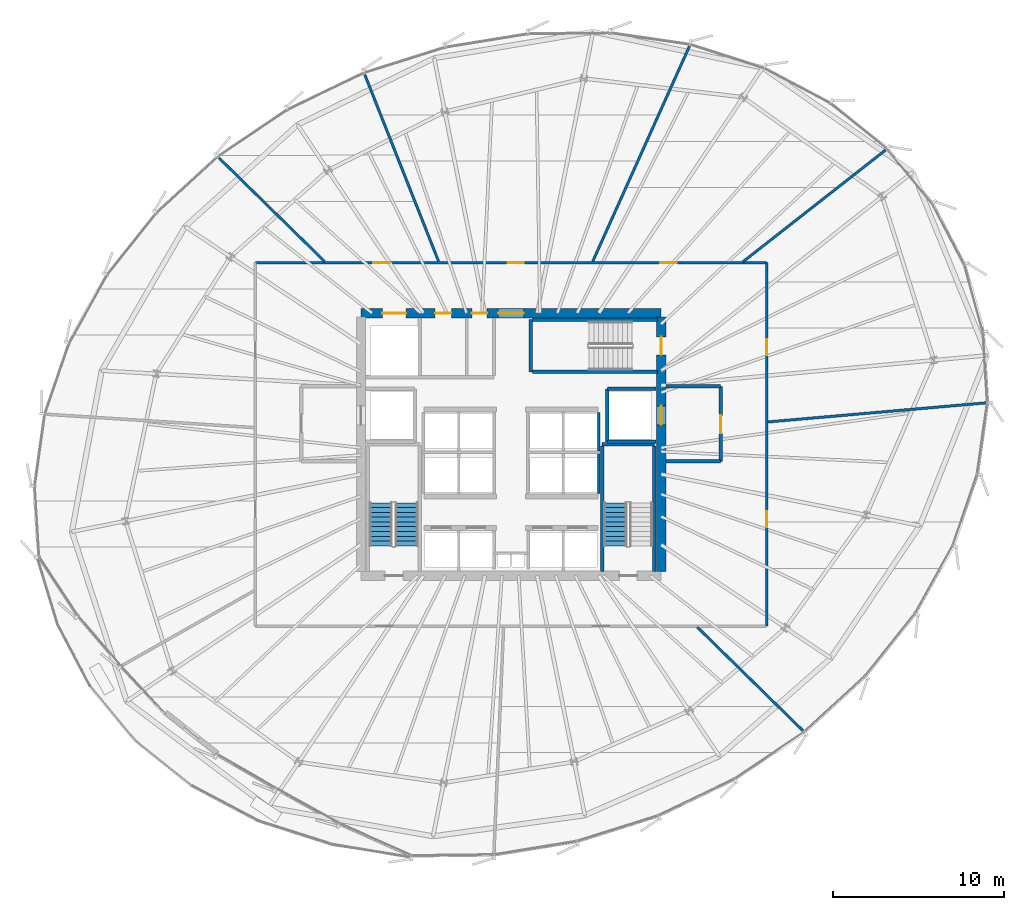
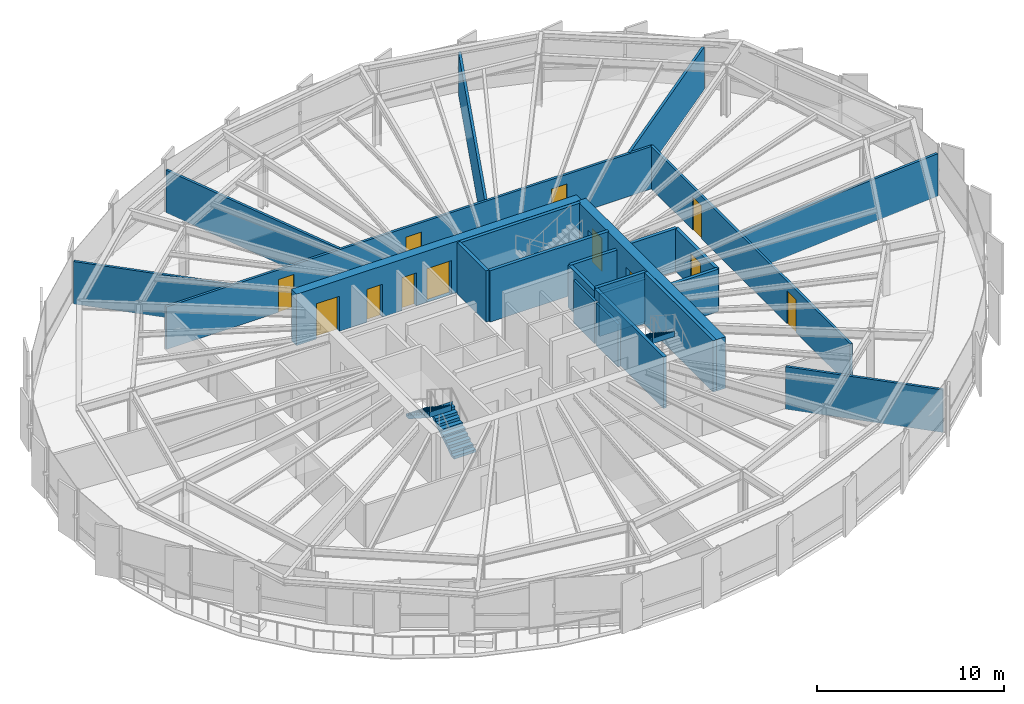
# One storey, part 30 of 35: 24 walls, 12 doors, 3 stair flights, 12 openings, 2 elements without a shape of their own.
"""IFC4 building model written with IfcOpenShell, lengths in metres."""

from ifc_helpers import new_model, si_unit, direction, frame, frame_2d, origin, place, context, subcontext, project, spatial, polyline, rectangle, outline, extrude, source, transform, mapped, material, layer, layer_set, type_object, element, fill, aggregate, save


model = new_model("IFC4")

# Units and contexts
model_context = context("Model", 3, precision=1e-05, world=origin(), true_north=direction((0.0, 1.0)))
body_context = subcontext(model_context, "Body", "Model", "MODEL_VIEW")
ifc_project = project(units=[si_unit("LENGTHUNIT", "METRE"), si_unit("AREAUNIT", "SQUARE_METRE"), si_unit("VOLUMEUNIT", "CUBIC_METRE"), si_unit("PLANEANGLEUNIT", "RADIAN"), si_unit("MASSUNIT", "GRAM", prefix="KILO"), si_unit("THERMODYNAMICTEMPERATUREUNIT", "KELVIN")], contexts=[model_context])

# Site, building, storey
site_placement = place(None, origin())
site = spatial("IfcSite", under=ifc_project, at=site_placement, CompositionType="ELEMENT")
building_placement = place(site_placement, origin())
building = spatial("IfcBuilding", under=site, at=building_placement, Name="Kethvar Cultural Tower", CompositionType="ELEMENT")
storey_placement = place(building_placement, frame((0.0, 0.0, 121.60009765625)))
storey = spatial("IfcBuildingStorey", under=building, at=storey_placement, Name="L30", CompositionType="ELEMENT", Elevation=121.60009765625)

# Wall, openings, doors
ifc_material_1 = material(Name="Concrete C60/75", Category="concrete")
ifc_layer_1 = layer(ifc_material_1, 0.550048828125, Name="Concrete C60/75", Category="concrete")
ifc_layer_set_1 = layer_set([ifc_layer_1], Name="Concrete C60/75 (550 mm)")
wall_type_1 = type_object("IfcWallType", Name="WL-CORE-550", PredefinedType="SHEAR", material=ifc_layer_set_1)
wall_1_placement = place(storey_placement, frame((55.60009765625, 35.5, 0.0), z_axis=(0.0, 0.0, 1.0), x_axis=(-1.0, 0.0, 0.0)))
wall_1 = element("IfcWall", 1, at=wall_1_placement, inside=storey, type_object=wall_type_1, Name="L30 Core Shear Wall N", PredefinedType="SHEAR", context=body_context, shape_type="SweptSolid", body=[
    extrude(rectangle(XDim=17.60009765625, YDim=0.550048828125, at=frame_2d((8.800048828125, 0.0))), origin(), (0.0, 0.0, 1.0), 3.349853515625),
])
opening_1_placement = place(wall_1_placement, frame((8.050048828125, 0.0, 0.0)))
opening_1 = element("IfcOpeningElement", 2, at=opening_1_placement, cuts=wall_1, Name="Opening D-L30-LN", PredefinedType="OPENING", context=body_context, shape_type="SweptSolid", body=[
    extrude(rectangle(XDim=1.5, YDim=2.199951171875, at=frame_2d((0.75, 1.10009765625))), frame((0.0, 0.284912109375, 0.0), z_axis=(0.0, -1.0, 0.0), x_axis=(1.0, 0.0, 0.0)), (0.0, 0.0, 1.0), 0.570068359375),
])
opening_2_placement = place(wall_1_placement, frame((14.949951171875, 0.0, 0.0)))
opening_2 = element("IfcOpeningElement", 3, at=opening_2_placement, cuts=wall_1, Name="Opening LD-G1", PredefinedType="OPENING", context=body_context, shape_type="SweptSolid", body=[
    extrude(rectangle(XDim=1.39990234375, YDim=2.300048828125, at=frame_2d((0.699951171875, 1.14990234375))), frame((0.0, 0.284912109375, 0.0), z_axis=(0.0, -1.0, 0.0), x_axis=(1.0, 0.0, 0.0)), (0.0, 0.0, 1.0), 0.570068359375),
])
opening_3_placement = place(wall_1_placement, frame((12.300048828125, 0.0, 0.0)))
opening_3 = element("IfcOpeningElement", 4, at=opening_3_placement, cuts=wall_1, Name="Opening D-L30-W1", PredefinedType="OPENING", context=body_context, shape_type="SweptSolid", body=[
    extrude(rectangle(XDim=0.949951171875, YDim=2.14990234375, at=frame_2d((0.47509765625, 1.074951171875))), frame((0.0, 0.284912109375, 0.0), z_axis=(0.0, -1.0, 0.0), x_axis=(1.0, 0.0, 0.0)), (0.0, 0.0, 1.0), 0.570068359375),
])
opening_4_placement = place(wall_1_placement, frame((10.199951171875, 0.0, 0.0)))
opening_4 = element("IfcOpeningElement", 5, at=opening_4_placement, cuts=wall_1, Name="Opening D-L30-W2", PredefinedType="OPENING", context=body_context, shape_type="SweptSolid", body=[
    extrude(rectangle(XDim=0.89990234375, YDim=2.14990234375, at=frame_2d((0.449951171875, 1.074951171875))), frame((0.0, 0.284912109375, 0.0), z_axis=(0.0, -1.0, 0.0), x_axis=(1.0, 0.0, 0.0)), (0.0, 0.0, 1.0), 0.570068359375),
])
ifc_material_2 = material(Name="Architectural Oak Timber", Category="wood")
door_type_1 = type_object("IfcDoorType", Name="DR-DBL-FD60-1500", OperationType="DOUBLE_DOOR_SINGLE_SWING", PredefinedType="DOOR", material=ifc_material_2)
shared_shape_1 = source(origin(), body_context, "Body", "SweptSolid", [
    extrude(rectangle(XDim=1.5, YDim=2.199951171875, at=frame_2d((0.75, 1.10009765625))), frame((0.0, 0.02490234375, 0.0), z_axis=(0.0, -1.0, 0.0), x_axis=(1.0, 0.0, 0.0)), (0.0, 0.0, 1.0), 0.050048828125),
])
door_1_placement = place(opening_1_placement, origin())
door_1 = element("IfcDoor", 6, at=door_1_placement, inside=storey, type_object=door_type_1, Name="L30 Lift Lobby Concourse Door", OperationType="DOUBLE_DOOR_SINGLE_SWING", OverallHeight=2.199951171875, OverallWidth=1.5, PredefinedType="DOOR", context=body_context, shape_type="MappedRepresentation", body=[
    mapped(shared_shape_1, transform((0.0, 0.0, 0.0), scale=1.0)),
])
fill(opening_1, door_1)
ifc_material_3 = material(Name="Steel S355J2", Category="steel")
door_type_2 = type_object("IfcDoorType", Name="DR-LIFT-SLIDE-1400", OperationType="NOTDEFINED", PredefinedType="DOOR", material=ifc_material_3)
shared_shape_2 = source(origin(), body_context, "Body", "SweptSolid", [
    extrude(rectangle(XDim=1.39990234375, YDim=2.300048828125, at=frame_2d((0.699951171875, 1.14990234375))), frame((0.0, 0.02490234375, 0.0), z_axis=(0.0, -1.0, 0.0), x_axis=(1.0, 0.0, 0.0)), (0.0, 0.0, 1.0), 0.050048828125),
])
door_2_placement = place(opening_2_placement, origin())
door_2 = element("IfcDoor", 7, at=door_2_placement, inside=storey, type_object=door_type_2, Name="L30 Goods Lift Landing Door", OperationType="SLIDING_TO_RIGHT", OverallHeight=2.300048828125, OverallWidth=1.39990234375, PredefinedType="DOOR", context=body_context, shape_type="MappedRepresentation", body=[
    mapped(shared_shape_2, transform((0.0, 0.0, 0.0), scale=1.0)),
])
fill(opening_2, door_2)
door_type_3 = type_object("IfcDoorType", Name="DR-FD30-950", OperationType="NOTDEFINED", PredefinedType="DOOR", material=ifc_material_2)
shared_shape_3 = source(origin(), body_context, "Body", "SweptSolid", [
    extrude(rectangle(XDim=0.949951171875, YDim=2.14990234375, at=frame_2d((0.47509765625, 1.074951171875))), frame((0.0, 0.02490234375, 0.0), z_axis=(0.0, -1.0, 0.0), x_axis=(1.0, 0.0, 0.0)), (0.0, 0.0, 1.0), 0.050048828125),
])
door_3_placement = place(opening_3_placement, origin())
door_3 = element("IfcDoor", 8, at=door_3_placement, inside=storey, type_object=door_type_3, Name="L30 Public Washroom Door", OperationType="SINGLE_SWING_LEFT", OverallHeight=2.14990234375, OverallWidth=0.949951171875, PredefinedType="DOOR", context=body_context, shape_type="MappedRepresentation", body=[
    mapped(shared_shape_3, transform((0.0, 0.0, 0.0), scale=1.0)),
])
fill(opening_3, door_3)
door_type_4 = type_object("IfcDoorType", Name="DR-FD30-900", OperationType="NOTDEFINED", PredefinedType="DOOR", material=ifc_material_2)
shared_shape_4 = source(origin(), body_context, "Body", "SweptSolid", [
    extrude(rectangle(XDim=0.89990234375, YDim=2.14990234375, at=frame_2d((0.449951171875, 1.074951171875))), frame((0.0, 0.02490234375, 0.0), z_axis=(0.0, -1.0, 0.0), x_axis=(1.0, 0.0, 0.0)), (0.0, 0.0, 1.0), 0.050048828125),
])
door_4_placement = place(opening_4_placement, origin())
door_4 = element("IfcDoor", 9, at=door_4_placement, inside=storey, type_object=door_type_4, Name="L30 Accessible Washroom Door", OperationType="SINGLE_SWING_RIGHT", OverallHeight=2.14990234375, OverallWidth=0.89990234375, PredefinedType="DOOR", context=body_context, shape_type="MappedRepresentation", body=[
    mapped(shared_shape_4, transform((0.0, 0.0, 0.0), scale=1.0)),
])
fill(opening_4, door_4)

wall_2_placement = place(storey_placement, frame((55.60009765625, 20.340087890625, 0.0), z_axis=(0.0, 0.0, 1.0), x_axis=(0.0, 1.0, 0.0)))
wall_2 = element("IfcWall", 10, at=wall_2_placement, inside=storey, type_object=wall_type_1, Name="L30 Core Shear Wall E", PredefinedType="SHEAR", context=body_context, shape_type="SweptSolid", body=[
    extrude(rectangle(XDim=14.919921875, YDim=0.550048828125, at=frame_2d((7.4599609375, 0.0))), origin(), (0.0, 0.0, 1.0), 3.349853515625),
])
opening_5_placement = place(wall_2_placement, frame((12.7099609375, 0.0, 0.0)))
opening_5 = element("IfcOpeningElement", 11, at=opening_5_placement, cuts=wall_2, Name="Opening D-L30-S3", PredefinedType="OPENING", context=body_context, shape_type="SweptSolid", body=[
    extrude(rectangle(XDim=1.050048828125, YDim=2.14990234375, at=frame_2d((0.52490234375, 1.074951171875))), frame((0.0, 0.284912109375, 0.0), z_axis=(0.0, -1.0, 0.0), x_axis=(1.0, 0.0, 0.0)), (0.0, 0.0, 1.0), 0.570068359375),
])
opening_6_placement = place(wall_2_placement, frame((8.610107421875, 0.0, 0.0)))
opening_6 = element("IfcOpeningElement", 12, at=opening_6_placement, cuts=wall_2, Name="Opening LD-2", PredefinedType="OPENING", context=body_context, shape_type="SweptSolid", body=[
    extrude(rectangle(XDim=1.10009765625, YDim=2.199951171875, at=frame_2d((0.550048828125, 1.10009765625))), frame((0.0, 0.284912109375, 0.0), z_axis=(0.0, -1.0, 0.0), x_axis=(1.0, 0.0, 0.0)), (0.0, 0.0, 1.0), 0.570068359375),
])
door_type_5 = type_object("IfcDoorType", Name="DR-FD60-1050", OperationType="NOTDEFINED", PredefinedType="DOOR", material=ifc_material_3)
shared_shape_5 = source(origin(), body_context, "Body", "SweptSolid", [
    extrude(rectangle(XDim=1.050048828125, YDim=2.14990234375, at=frame_2d((0.52490234375, 1.074951171875))), frame((0.0, 0.02490234375, 0.0), z_axis=(0.0, -1.0, 0.0), x_axis=(1.0, 0.0, 0.0)), (0.0, 0.0, 1.0), 0.050048828125),
])
door_5_placement = place(opening_5_placement, origin())
door_5 = element("IfcDoor", 13, at=door_5_placement, inside=storey, type_object=door_type_5, Name="L30 Exit Stair 3 Door", OperationType="SINGLE_SWING_LEFT", OverallHeight=2.14990234375, OverallWidth=1.050048828125, PredefinedType="DOOR", context=body_context, shape_type="MappedRepresentation", body=[
    mapped(shared_shape_5, transform((0.0, 0.0, 0.0), scale=1.0)),
])
fill(opening_5, door_5)
door_type_6 = type_object("IfcDoorType", Name="DR-LIFT-SLIDE-1100", OperationType="NOTDEFINED", PredefinedType="DOOR", material=ifc_material_3)
shared_shape_6 = source(origin(), body_context, "Body", "SweptSolid", [
    extrude(rectangle(XDim=1.10009765625, YDim=2.199951171875, at=frame_2d((0.550048828125, 1.10009765625))), frame((0.0, 0.02490234375, 0.0), z_axis=(0.0, -1.0, 0.0), x_axis=(1.0, 0.0, 0.0)), (0.0, 0.0, 1.0), 0.050048828125),
])
door_6_placement = place(opening_6_placement, origin())
door_6 = element("IfcDoor", 14, at=door_6_placement, inside=storey, type_object=door_type_6, Name="L30 Firefighting Lift Landing Door FFL-02", OperationType="SLIDING_TO_RIGHT", OverallHeight=2.199951171875, OverallWidth=1.10009765625, PredefinedType="DOOR", context=body_context, shape_type="MappedRepresentation", body=[
    mapped(shared_shape_6, transform((0.0, 0.0, 0.0), scale=1.0)),
])
fill(opening_6, door_6)

# Walls
ifc_material_4 = material(Name="Gypsum Fireboard Partition")
ifc_layer_2 = layer(ifc_material_4, 0.14990234375, Name="Gypsum Fireboard Partition")
ifc_layer_set_2 = layer_set([ifc_layer_2], Name="Gypsum Fireboard Partition (150 mm)")
wall_type_2 = type_object("IfcWallType", Name="WL-FIRE-150", PredefinedType="PARTITIONING", material=ifc_layer_set_2)
wall_3_placement = place(storey_placement, frame((51.949951171875, 24.919921875, 0.0), z_axis=(0.0, 0.0, 1.0), x_axis=(0.0, 1.0, 0.0)))
element("IfcWall", 15, at=wall_3_placement, inside=storey, type_object=wall_type_2, Name="L30 Mid-Rise Lift Shaft Outer Wall E", PredefinedType="PARTITIONING", context=body_context, shape_type="SweptSolid", body=[
    extrude(rectangle(XDim=2.320068359375, YDim=0.14990234375, at=frame_2d((1.16015625, 0.0))), origin(), (0.0, 0.0, 1.0), 2.77490234375),
])
wall_4_placement = place(storey_placement, frame((51.949951171875, 27.409912109375, 0.0), z_axis=(0.0, 0.0, 1.0), x_axis=(0.0, 1.0, 0.0)))
element("IfcWall", 16, at=wall_4_placement, inside=storey, type_object=wall_type_2, Name="L30 High-Rise Lift Shaft Outer Wall E", PredefinedType="PARTITIONING", context=body_context, shape_type="SweptSolid", body=[
    extrude(rectangle(XDim=2.27001953125, YDim=0.14990234375, at=frame_2d((1.135009765625, 0.0))), origin(), (0.0, 0.0, 1.0), 2.77490234375),
])

# Wall, openings, doors
wall_5_placement = place(storey_placement, frame((61.7900390625, 17.139892578125, 0.0), z_axis=(0.0, 0.0, 1.0), x_axis=(0.0, 1.0, 0.0)))
wall_5 = element("IfcWall", 17, at=wall_5_placement, inside=storey, type_object=wall_type_2, Name="L30 Corridor Rated Wall E", PredefinedType="PARTITIONING", context=body_context, shape_type="SweptSolid", body=[
    extrude(rectangle(XDim=21.320068359375, YDim=0.14990234375, at=frame_2d((10.66015625, 0.0))), origin(), (0.0, 0.0, 1.0), 2.77490234375),
])
opening_7_placement = place(wall_5_placement, frame((5.799560546875, 0.0, 0.0)))
opening_7 = element("IfcOpeningElement", 18, at=opening_7_placement, cuts=wall_5, Name="Opening D-L30-03", PredefinedType="OPENING", context=body_context, shape_type="SweptSolid", body=[
    extrude(rectangle(XDim=0.949951171875, YDim=2.14990234375, at=frame_2d((0.47509765625, 1.074951171875))), frame((0.0, 0.0849609375, 0.0), z_axis=(0.0, -1.0, 0.0), x_axis=(1.0, 0.0, 0.0)), (0.0, 0.0, 1.0), 0.169921875),
])
opening_8_placement = place(wall_5_placement, frame((15.87890625, 0.0, 0.0)))
opening_8 = element("IfcOpeningElement", 19, at=opening_8_placement, cuts=wall_5, Name="Opening D-L30-04", PredefinedType="OPENING", context=body_context, shape_type="SweptSolid", body=[
    extrude(rectangle(XDim=0.949951171875, YDim=2.14990234375, at=frame_2d((0.47509765625, 1.074951171875))), frame((0.0, 0.0849609375, 0.0), z_axis=(0.0, -1.0, 0.0), x_axis=(1.0, 0.0, 0.0)), (0.0, 0.0, 1.0), 0.169921875),
])
door_7_placement = place(opening_7_placement, origin())
door_7 = element("IfcDoor", 20, at=door_7_placement, inside=storey, type_object=door_type_3, Name="L30 Poster Edition Shop 03 Door", OperationType="SINGLE_SWING_LEFT", OverallHeight=2.14990234375, OverallWidth=0.949951171875, PredefinedType="DOOR", context=body_context, shape_type="MappedRepresentation", body=[
    mapped(shared_shape_3, transform((0.0, 0.0, 0.0), scale=1.0)),
])
fill(opening_7, door_7)
door_8_placement = place(opening_8_placement, origin())
door_8 = element("IfcDoor", 21, at=door_8_placement, inside=storey, type_object=door_type_3, Name="L30 Photography Media Salon 04 Door", OperationType="SINGLE_SWING_RIGHT", OverallHeight=2.14990234375, OverallWidth=0.949951171875, PredefinedType="DOOR", context=body_context, shape_type="MappedRepresentation", body=[
    mapped(shared_shape_3, transform((0.0, 0.0, 0.0), scale=1.0)),
])
fill(opening_8, door_8)

wall_6_placement = place(storey_placement, frame((61.7900390625, 38.4599609375, 0.0), z_axis=(0.0, 0.0, 1.0), x_axis=(-1.0, 0.0, 0.0)))
wall_6 = element("IfcWall", 22, at=wall_6_placement, inside=storey, type_object=wall_type_2, Name="L30 Corridor Rated Wall N", PredefinedType="PARTITIONING", context=body_context, shape_type="SweptSolid", body=[
    extrude(rectangle(XDim=29.97998046875, YDim=0.14990234375, at=frame_2d((14.989990234375, 0.0))), origin(), (0.0, 0.0, 1.0), 2.77490234375),
])
opening_9_placement = place(wall_6_placement, frame((5.278076171875, 0.0, 0.0)))
opening_9 = element("IfcOpeningElement", 23, at=opening_9_placement, cuts=wall_6, Name="Opening D-L30-05", PredefinedType="OPENING", context=body_context, shape_type="SweptSolid", body=[
    extrude(rectangle(XDim=0.949951171875, YDim=2.14990234375, at=frame_2d((0.47509765625, 1.074951171875))), frame((0.0, 0.0849609375, 0.0), z_axis=(0.0, -1.0, 0.0), x_axis=(1.0, 0.0, 0.0)), (0.0, 0.0, 1.0), 0.169921875),
])
opening_10_placement = place(wall_6_placement, frame((14.241943359375, 0.0, 0.0)))
opening_10 = element("IfcOpeningElement", 24, at=opening_10_placement, cuts=wall_6, Name="Opening D-L30-06", PredefinedType="OPENING", context=body_context, shape_type="SweptSolid", body=[
    extrude(rectangle(XDim=0.949951171875, YDim=2.14990234375, at=frame_2d((0.47509765625, 1.074951171875))), frame((0.0, 0.0849609375, 0.0), z_axis=(0.0, -1.0, 0.0), x_axis=(1.0, 0.0, 0.0)), (0.0, 0.0, 1.0), 0.169921875),
])
opening_11_placement = place(wall_6_placement, frame((22.11669921875, 0.0, 0.0)))
opening_11 = element("IfcOpeningElement", 25, at=opening_11_placement, cuts=wall_6, Name="Opening D-L30-07", PredefinedType="OPENING", context=body_context, shape_type="SweptSolid", body=[
    extrude(rectangle(XDim=0.949951171875, YDim=2.14990234375, at=frame_2d((0.47509765625, 1.074951171875))), frame((0.0, 0.0849609375, 0.0), z_axis=(0.0, -1.0, 0.0), x_axis=(1.0, 0.0, 0.0)), (0.0, 0.0, 1.0), 0.169921875),
])
door_9_placement = place(opening_9_placement, origin())
door_9 = element("IfcDoor", 26, at=door_9_placement, inside=storey, type_object=door_type_3, Name="L30 Architecture Quiet Library 05 Door", OperationType="SINGLE_SWING_LEFT", OverallHeight=2.14990234375, OverallWidth=0.949951171875, PredefinedType="DOOR", context=body_context, shape_type="MappedRepresentation", body=[
    mapped(shared_shape_3, transform((0.0, 0.0, 0.0), scale=1.0)),
])
fill(opening_9, door_9)
door_10_placement = place(opening_10_placement, origin())
door_10 = element("IfcDoor", 27, at=door_10_placement, inside=storey, type_object=door_type_3, Name="L30 Conservation Design Workspace 06 Door", OperationType="SINGLE_SWING_RIGHT", OverallHeight=2.14990234375, OverallWidth=0.949951171875, PredefinedType="DOOR", context=body_context, shape_type="MappedRepresentation", body=[
    mapped(shared_shape_3, transform((0.0, 0.0, 0.0), scale=1.0)),
])
fill(opening_10, door_10)
door_11_placement = place(opening_11_placement, origin())
door_11 = element("IfcDoor", 28, at=door_11_placement, inside=storey, type_object=door_type_3, Name="L30 Records Closet 07 Door", OperationType="SINGLE_SWING_LEFT", OverallHeight=2.14990234375, OverallWidth=0.949951171875, PredefinedType="DOOR", context=body_context, shape_type="MappedRepresentation", body=[
    mapped(shared_shape_3, transform((0.0, 0.0, 0.0), scale=1.0)),
])
fill(opening_11, door_11)

# Walls
ifc_material_5 = material(Name="Concrete C40/50", Category="concrete")
ifc_layer_3 = layer(ifc_material_5, 0.199951171875, Name="Concrete C40/50", Category="concrete")
ifc_layer_set_3 = layer_set([ifc_layer_3], Name="Concrete C40/50 (200 mm)")
wall_type_3 = type_object("IfcWallType", Name="WL-FIRE-200", PredefinedType="PARTITIONING", material=ifc_layer_set_3)
wall_7_placement = place(storey_placement, frame((52.449951171875, 27.949951171875, 0.0), z_axis=(0.0, 0.0, 1.0), x_axis=(0.0, 1.0, 0.0)))
element("IfcWall", 29, at=wall_7_placement, inside=storey, type_object=wall_type_3, Name="L30 FFL-02 Shaft Inner Wall", PredefinedType="PARTITIONING", context=body_context, shape_type="SweptSolid", body=[
    extrude(rectangle(XDim=3.10009765625, YDim=0.199951171875, at=frame_2d((1.550048828125, 0.0))), origin(), (0.0, 0.0, 1.0), 2.77490234375),
])
for number, where, z_axis, x_axis, name in (
    (30, (52.449951171875, 27.949951171875, 0.0), (0.0, 0.0, 1.0), (1.0, 0.0, 0.0), "L30 FFL-02 Shaft South Wall"),
    (31, (52.449951171875, 31.050048828125, 0.0), (0.0, 0.0, 1.0), (1.0, 0.0, 0.0), "L30 FFL-02 Shaft North Wall"),
):
    element("IfcWall", number, at=place(storey_placement, frame(where, z_axis=z_axis, x_axis=x_axis)), inside=storey, type_object=wall_type_3, Name=name, PredefinedType="PARTITIONING", context=body_context, shape_type="SweptSolid", body=[
        extrude(rectangle(XDim=2.864990234375, YDim=0.199951171875, at=frame_2d((1.4326171875, 0.0))), origin(), (0.0, 0.0, 1.0), 2.77490234375),
    ])

# Wall, opening, door
wall_8_placement = place(storey_placement, frame((59.10009765625, 26.800048828125, 0.0), z_axis=(0.0, 0.0, 1.0), x_axis=(0.0, 1.0, 0.0)))
wall_8 = element("IfcWall", 32, at=wall_8_placement, inside=storey, type_object=wall_type_3, Name="L30 Firefighting Lobby 2 Wall", PredefinedType="PARTITIONING", context=body_context, shape_type="SweptSolid", body=[
    extrude(rectangle(XDim=4.39990234375, YDim=0.199951171875, at=frame_2d((2.199951171875, 0.0))), origin(), (0.0, 0.0, 1.0), 2.77490234375),
])
opening_12_placement = place(wall_8_placement, frame((1.64990234375, 0.0, 0.0)))
opening_12 = element("IfcOpeningElement", 33, at=opening_12_placement, cuts=wall_8, Name="Opening D-L30-F2", PredefinedType="OPENING", context=body_context, shape_type="SweptSolid", body=[
    extrude(rectangle(XDim=1.050048828125, YDim=2.14990234375, at=frame_2d((0.52490234375, 1.074951171875))), frame((0.0, 0.10986328125, 0.0), z_axis=(0.0, -1.0, 0.0), x_axis=(1.0, 0.0, 0.0)), (0.0, 0.0, 1.0), 0.219970703125),
])
door_12_placement = place(opening_12_placement, origin())
door_12 = element("IfcDoor", 34, at=door_12_placement, inside=storey, type_object=door_type_5, Name="L30 Firefighting Lobby 2 Fire Door", OperationType="SINGLE_SWING_LEFT", OverallHeight=2.14990234375, OverallWidth=1.050048828125, PredefinedType="DOOR", context=body_context, shape_type="MappedRepresentation", body=[
    mapped(shared_shape_5, transform((0.0, 0.0, 0.0), scale=1.0)),
])
fill(opening_12, door_12)

# Walls
for number, where, z_axis, x_axis, name in (
    (35, (55.885009765625, 26.800048828125, 0.0), (0.0, 0.0, 1.0), (1.0, 0.0, 0.0), "L30 FF Lobby 2 South Wall"),
    (36, (55.885009765625, 31.199951171875, 0.0), (0.0, 0.0, 1.0), (1.0, 0.0, 0.0), "L30 FF Lobby 2 North Wall"),
):
    element("IfcWall", number, at=place(storey_placement, frame(where, z_axis=z_axis, x_axis=x_axis)), inside=storey, type_object=wall_type_3, Name=name, PredefinedType="PARTITIONING", context=body_context, shape_type="SweptSolid", body=[
        extrude(rectangle(XDim=3.215087890625, YDim=0.199951171875, at=frame_2d((1.607421875, 0.0))), origin(), (0.0, 0.0, 1.0), 2.77490234375),
    ])
ifc_material_6 = material(Name="Gypsum Acoustic Partition")
ifc_layer_4 = layer(ifc_material_6, 0.14990234375, Name="Gypsum Acoustic Partition")
ifc_layer_set_4 = layer_set([ifc_layer_4], Name="Gypsum Acoustic Partition (150 mm)")
wall_type_4 = type_object("IfcWallType", Name="WL-PART-150", PredefinedType="PARTITIONING", material=ifc_layer_set_4)
wall_9_placement = place(storey_placement, frame((57.72021484375, 17.083984375, 0.0), z_axis=(0.0, 0.0, 1.0), x_axis=(0.714233098237, -0.699907909215, 0.0)))
element("IfcWall", 37, at=wall_9_placement, inside=storey, type_object=wall_type_4, Name="L30 Radial Partition Wall 03", PredefinedType="PARTITIONING", context=body_context, shape_type="SweptSolid", body=[
    extrude(rectangle(XDim=8.6748046875, YDim=0.14990234375, at=frame_2d((4.33740234375, 0.0))), origin(), (0.0, 0.0, 1.0), 2.77490234375),
])
wall_10_placement = place(storey_placement, frame((61.86962890625, 29.11474609375, 0.0), z_axis=(0.0, 0.0, 1.0), x_axis=(0.996195228394, 0.087149681153, 0.0)))
element("IfcWall", 38, at=wall_10_placement, inside=storey, type_object=wall_type_4, Name="L30 Radial Partition Wall 04", PredefinedType="PARTITIONING", context=body_context, shape_type="SweptSolid", body=[
    extrude(rectangle(XDim=12.802490234375, YDim=0.14990234375, at=frame_2d((6.4013671875, 0.0))), origin(), (0.0, 0.0, 1.0), 2.77490234375),
])
wall_11_placement = place(storey_placement, frame((60.40283203125, 38.50927734375, 0.0), z_axis=(0.0, 0.0, 1.0), x_axis=(0.787184712213, 0.616717300599, 0.0)))
element("IfcWall", 39, at=wall_11_placement, inside=storey, type_object=wall_type_4, Name="L30 Radial Partition Wall 05", PredefinedType="PARTITIONING", context=body_context, shape_type="SweptSolid", body=[
    extrude(rectangle(XDim=10.61962890625, YDim=0.14990234375, at=frame_2d((5.309814453125, 0.0))), origin(), (0.0, 0.0, 1.0), 2.77490234375),
])
wall_12_placement = place(storey_placement, frame((51.593994140625, 38.532958984375, 0.0), z_axis=(0.0, 0.0, 1.0), x_axis=(0.409859427718, 0.912148699232, 0.0)))
element("IfcWall", 40, at=wall_12_placement, inside=storey, type_object=wall_type_4, Name="L30 Radial Partition Wall 06", PredefinedType="PARTITIONING", context=body_context, shape_type="SweptSolid", body=[
    extrude(rectangle(XDim=13.824951171875, YDim=0.14990234375, at=frame_2d((6.91259765625, 0.0))), origin(), (0.0, 0.0, 1.0), 2.77490234375),
])
wall_13_placement = place(storey_placement, frame((42.550048828125, 38.534423828125, 0.0), z_axis=(0.0, 0.0, 1.0), x_axis=(-0.367488212125, 0.930028179116, 0.0)))
element("IfcWall", 41, at=wall_13_placement, inside=storey, type_object=wall_type_4, Name="L30 Radial Partition Wall 07", PredefinedType="PARTITIONING", context=body_context, shape_type="SweptSolid", body=[
    extrude(rectangle(XDim=11.766845703125, YDim=0.14990234375, at=frame_2d((5.88330078125, 0.0))), origin(), (0.0, 0.0, 1.0), 2.77490234375),
])
wall_14_placement = place(storey_placement, frame((35.879638671875, 38.51611328125, 0.0), z_axis=(0.0, 0.0, 1.0), x_axis=(-0.714233380427, 0.69990762125, 0.0)))
element("IfcWall", 42, at=wall_14_placement, inside=storey, type_object=wall_type_4, Name="L30 Radial Partition Wall 08", PredefinedType="PARTITIONING", context=body_context, shape_type="SweptSolid", body=[
    extrude(rectangle(XDim=8.67431640625, YDim=0.14990234375, at=frame_2d((4.337158203125, 0.0))), origin(), (0.0, 0.0, 1.0), 2.77490234375),
])
ifc_material_7 = material(Name="Concrete C50/60", Category="concrete")
ifc_layer_5 = layer(ifc_material_7, 0.199951171875, Name="Concrete C50/60", Category="concrete")
ifc_layer_set_5 = layer_set([ifc_layer_5], Name="Concrete C50/60 (200 mm)")
wall_type_5 = type_object("IfcWallType", Name="WL-STSHAFT-200", PredefinedType="SHEAR", material=ifc_layer_set_5)
wall_15_placement = place(storey_placement, frame((52.14990234375, 27.800048828125, 0.0), z_axis=(0.0, 0.0, 1.0), x_axis=(1.0, 0.0, 0.0)))
element("IfcWall", 43, at=wall_15_placement, inside=storey, type_object=wall_type_5, Name="L30 ST-02 Stair Shaft Wall FAR", PredefinedType="SHEAR", context=body_context, shape_type="SweptSolid", body=[
    extrude(rectangle(XDim=3.06005859375, YDim=0.199951171875, at=frame_2d((1.530029296875, 0.0))), origin(), (0.0, 0.0, 1.0), 3.349853515625),
])
for number, where, z_axis, x_axis, name in (
    (44, (55.2099609375, 27.699951171875, 0.0), (0.0, 0.0, 1.0), (0.0, -1.0, 0.0), "L30 ST-02 Stair Shaft Wall LEFT"),
    (45, (52.14990234375, 20.35009765625, 0.0), (0.0, 0.0, 1.0), (0.0, 1.0, 0.0), "L30 ST-02 Stair Shaft Wall RIGHT"),
):
    element("IfcWall", number, at=place(storey_placement, frame(where, z_axis=z_axis, x_axis=x_axis)), inside=storey, type_object=wall_type_5, Name=name, PredefinedType="SHEAR", context=body_context, shape_type="SweptSolid", body=[
        extrude(rectangle(XDim=7.349853515625, YDim=0.199951171875, at=frame_2d((3.6748046875, 0.0))), origin(), (0.0, 0.0, 1.0), 3.349853515625),
    ])
wall_16_placement = place(storey_placement, frame((47.949951171875, 32.050048828125, 0.0), z_axis=(0.0, 0.0, 1.0), x_axis=(0.0, 1.0, 0.0)))
element("IfcWall", 46, at=wall_16_placement, inside=storey, type_object=wall_type_5, Name="L30 ST-03 Stair Shaft Wall FAR", PredefinedType="SHEAR", context=body_context, shape_type="SweptSolid", body=[
    extrude(rectangle(XDim=3.06005859375, YDim=0.199951171875, at=frame_2d((1.530029296875, 0.0))), origin(), (0.0, 0.0, 1.0), 3.349853515625),
])
for number, where, z_axis, x_axis, name in (
    (47, (48.050048828125, 35.110107421875, 0.0), (0.0, 0.0, 1.0), (1.0, 0.0, 0.0), "L30 ST-03 Stair Shaft Wall LEFT"),
    (48, (55.39990234375, 32.050048828125, 0.0), (0.0, 0.0, 1.0), (-1.0, 0.0, 0.0), "L30 ST-03 Stair Shaft Wall RIGHT"),
):
    element("IfcWall", number, at=place(storey_placement, frame(where, z_axis=z_axis, x_axis=x_axis)), inside=storey, type_object=wall_type_5, Name=name, PredefinedType="SHEAR", context=body_context, shape_type="SweptSolid", body=[
        extrude(rectangle(XDim=7.349853515625, YDim=0.199951171875, at=frame_2d((3.6748046875, 0.0))), origin(), (0.0, 0.0, 1.0), 3.349853515625),
    ])

# Stair, stair flights
stair_type = type_object("IfcStairType", Name="ST-DOGLEG-135", PredefinedType="HALF_TURN_STAIR", material=ifc_material_5)
stair_1_placement = place(storey_placement, origin())
stair_1 = element("IfcStair", 49, at=stair_1_placement, inside=storey, type_object=stair_type, Name="L30 Core Exit Stair 1", PredefinedType="HALF_TURN_STAIR")
stair_flight_type = type_object("IfcStairFlightType", Name="FL-STRAIGHT-135", PredefinedType="STRAIGHT", material=ifc_material_5)
stair_flight_1_placement = place(storey_placement, frame((40.675048828125, 21.85009765625, 0.0), z_axis=(0.0, 0.0, 1.0), x_axis=(0.0, 1.0, 0.0)))
stair_flight_1 = element("IfcStairFlight", 50, at=stair_flight_1_placement, type_object=stair_flight_type, Name="ST-01 flight 1", NumberOfRisers=10, NumberOfTreads=9, PredefinedType="STRAIGHT", RiserHeight=0.18, TreadLength=0.28, context=body_context, shape_type="SweptSolid", body=[
    extrude(outline(polyline([(-0.0009765625, -0.0009765625), (-0.0009765625, 0.179931640625), (0.280029296875, 0.179931640625), (0.280029296875, 0.360107421875), (0.56005859375, 0.360107421875), (0.56005859375, 0.5400390625), (0.840087890625, 0.5400390625), (0.840087890625, 0.719970703125), (1.1201171875, 0.719970703125), (1.1201171875, 0.89990234375), (1.39990234375, 0.89990234375), (1.39990234375, 1.080078125), (1.679931640625, 1.080078125), (1.679931640625, 1.260009765625), (1.9599609375, 1.260009765625), (1.9599609375, 1.43994140625), (2.239990234375, 1.43994140625), (2.239990234375, 1.6201171875), (2.52001953125, 1.6201171875), (2.52001953125, 1.800048828125), (2.52099609375, 1.800048828125), (2.52099609375, 1.44189453125), (0.277099609375, 0.0), (0.0, -0.0009765625), (-0.0009765625, -0.0009765625)])), frame((0.0, 0.675048828125, 0.0), z_axis=(0.0, -1.0, 0.0), x_axis=(1.0, 0.0, 0.0)), (0.0, 0.0, 1.0), 1.35009765625),
])
stair_flight_2_placement = place(storey_placement, frame((39.1650390625, 24.3701171875, 1.7998046875), z_axis=(0.0, 0.0, 1.0), x_axis=(0.0, -1.0, 0.0)))
stair_flight_2 = element("IfcStairFlight", 51, at=stair_flight_2_placement, type_object=stair_flight_type, Name="ST-01 flight 2", NumberOfRisers=10, NumberOfTreads=9, PredefinedType="STRAIGHT", RiserHeight=0.18, TreadLength=0.28, context=body_context, shape_type="SweptSolid", body=[
    extrude(outline(polyline([(-0.0009765625, -0.0009765625), (-0.0009765625, 0.179931640625), (0.280029296875, 0.179931640625), (0.280029296875, 0.360107421875), (0.56005859375, 0.360107421875), (0.56005859375, 0.5400390625), (0.840087890625, 0.5400390625), (0.840087890625, 0.719970703125), (1.1201171875, 0.719970703125), (1.1201171875, 0.89990234375), (1.39990234375, 0.89990234375), (1.39990234375, 1.080078125), (1.679931640625, 1.080078125), (1.679931640625, 1.260009765625), (1.9599609375, 1.260009765625), (1.9599609375, 1.43994140625), (2.239990234375, 1.43994140625), (2.239990234375, 1.6201171875), (2.52001953125, 1.6201171875), (2.52001953125, 1.800048828125), (2.52099609375, 1.800048828125), (2.52099609375, 1.44189453125), (0.277099609375, 0.0), (0.0, -0.0009765625), (-0.0009765625, -0.0009765625)])), frame((0.0, 0.675048828125, 0.0), z_axis=(0.0, -1.0, 0.0), x_axis=(1.0, 0.0, 0.0)), (0.0, 0.0, 1.0), 1.35009765625),
])
aggregate(stair_1, [stair_flight_1, stair_flight_2])

# Stair, stair flight
stair_2_placement = place(storey_placement, origin())
stair_2 = element("IfcStair", 52, at=stair_2_placement, inside=storey, type_object=stair_type, Name="L30 Core Exit Stair 2", PredefinedType="HALF_TURN_STAIR")
stair_flight_3_placement = place(storey_placement, frame((52.925048828125, 24.3701171875, 1.7998046875), z_axis=(0.0, 0.0, 1.0), x_axis=(0.0, -1.0, 0.0)))
stair_flight_3 = element("IfcStairFlight", 53, at=stair_flight_3_placement, type_object=stair_flight_type, Name="ST-02 flight 2", NumberOfRisers=10, NumberOfTreads=9, PredefinedType="STRAIGHT", RiserHeight=0.18, TreadLength=0.28, context=body_context, shape_type="SweptSolid", body=[
    extrude(outline(polyline([(-0.0009765625, -0.0009765625), (-0.0009765625, 0.179931640625), (0.280029296875, 0.179931640625), (0.280029296875, 0.360107421875), (0.56005859375, 0.360107421875), (0.56005859375, 0.5400390625), (0.840087890625, 0.5400390625), (0.840087890625, 0.719970703125), (1.1201171875, 0.719970703125), (1.1201171875, 0.89990234375), (1.39990234375, 0.89990234375), (1.39990234375, 1.080078125), (1.679931640625, 1.080078125), (1.679931640625, 1.260009765625), (1.9599609375, 1.260009765625), (1.9599609375, 1.43994140625), (2.239990234375, 1.43994140625), (2.239990234375, 1.6201171875), (2.52001953125, 1.6201171875), (2.52001953125, 1.800048828125), (2.52099609375, 1.800048828125), (2.52099609375, 1.44189453125), (0.277099609375, 0.0), (0.0, -0.0009765625), (-0.0009765625, -0.0009765625)])), frame((0.0, 0.675048828125, 0.0), z_axis=(0.0, -1.0, 0.0), x_axis=(1.0, 0.0, 0.0)), (0.0, 0.0, 1.0), 1.35009765625),
])
aggregate(stair_2, [stair_flight_3])

save(model, "model.ifc")
